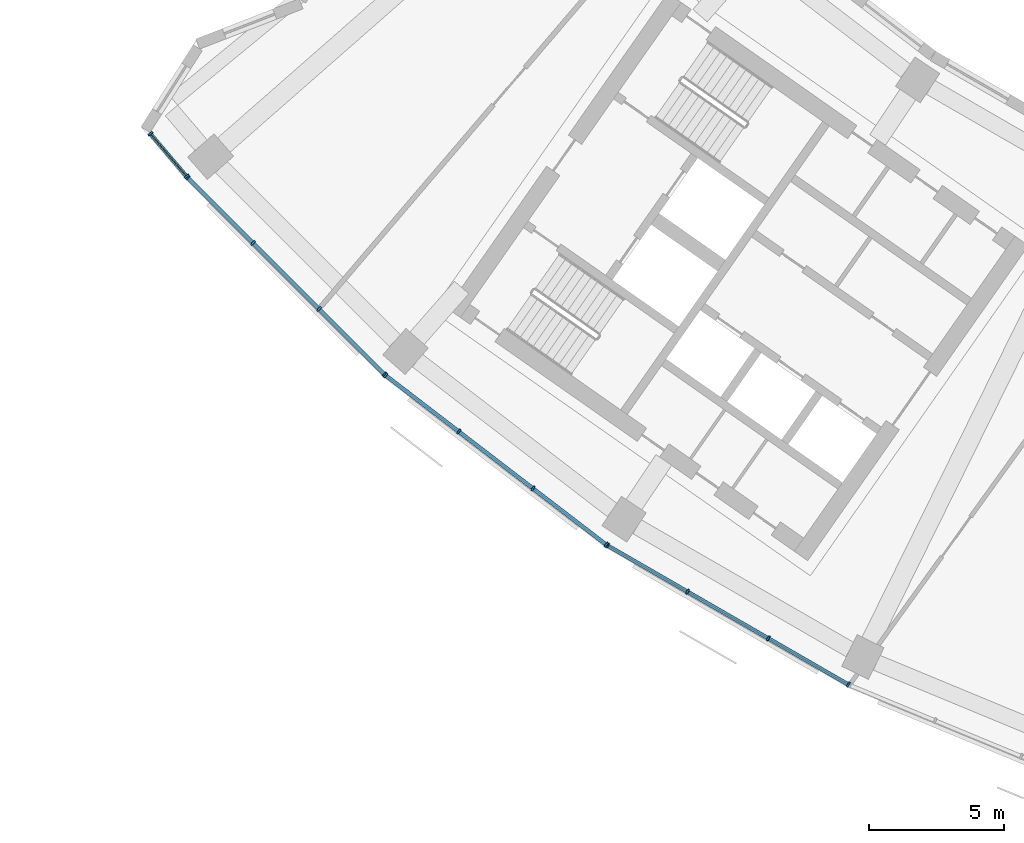
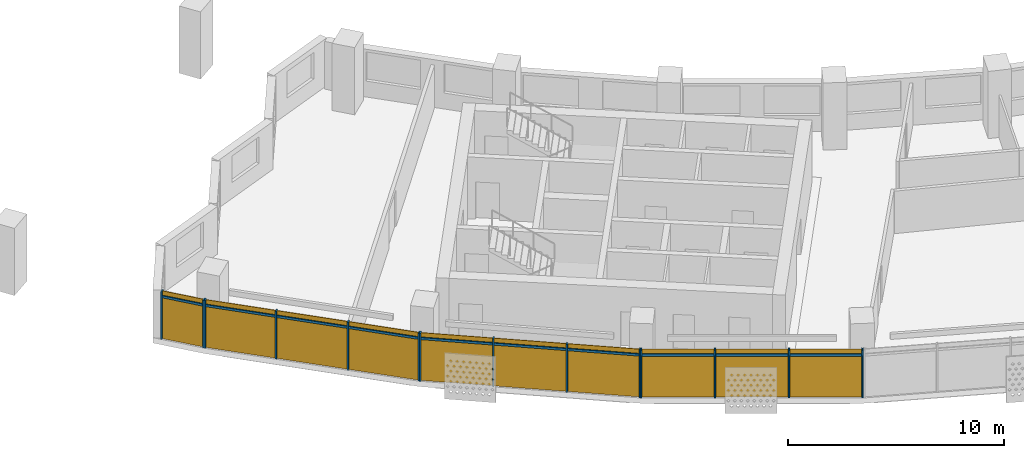
# One storey, part 17 of 26: 24 members, 4 curtain walls.
"""IFC4 building model written with IfcOpenShell, lengths in metres."""

from ifc_helpers import new_model, si_unit, direction, frame, origin, origin_2d, place, context, subcontext, project, spatial, rectangle, extrude, material, material_profile, profile_set, type_object, element, aggregate, save


model = new_model("IFC4")

# Units and contexts
model_context = context("Model", 3, precision=1e-05, world=origin(), true_north=direction((0.0, 1.0)))
body_context = subcontext(model_context, "Body", "Model", "MODEL_VIEW")
ifc_project = project(units=[si_unit("LENGTHUNIT", "METRE"), si_unit("AREAUNIT", "SQUARE_METRE"), si_unit("VOLUMEUNIT", "CUBIC_METRE"), si_unit("PLANEANGLEUNIT", "RADIAN"), si_unit("MASSUNIT", "GRAM", prefix="KILO")], contexts=[model_context])

# Member
ifc_material = material(Name="Aluminium 6063-T6 anodised", Category="aluminium")
ifc_material_profile_1 = material_profile(ifc_material, rectangle(XDim=0.199951171875, YDim=0.070068359375, at=origin_2d()))
ifc_profile_set_1 = profile_set([ifc_material_profile_1], Name="Aluminium 6063-T6 anodised")
member_type_1 = type_object("IfcMemberType", Name="Mullion 70 x 200 aluminium", PredefinedType="MULLION", material=ifc_profile_set_1)
site_placement = place(None, origin())
building_placement = place(site_placement, origin())
storey_placement = place(building_placement, frame((0.0, 0.0, 168.300048828125)))
member_1_placement = place(storey_placement, frame((-60.68212890625, -50.41845703125, 0.0), z_axis=(0.0, 0.0, 1.0), x_axis=(0.762284036665, 0.647242649588, 0.0)))
member_1 = element("IfcMember", 1, at=member_1_placement, type_object=member_type_1, Name="e-cw1-L39-out00/M00", PredefinedType="MULLION", context=body_context, shape_type="SweptSolid", body=[
    extrude(rectangle(XDim=0.199951171875, YDim=0.070068359375, at=origin_2d()), origin(), (0.0, 0.0, 1.0), 2.699951171875),
])

member_2_placement = place(storey_placement, frame((-59.341796875, -51.996826171875, 0.0), z_axis=(0.0, 0.0, 1.0), x_axis=(0.762284036665, 0.647242649588, 0.0)))
member_2 = element("IfcMember", 2, at=member_2_placement, type_object=member_type_1, Name="e-cw1-L39-out00/M01", PredefinedType="MULLION", context=body_context, shape_type="SweptSolid", body=[
    extrude(rectangle(XDim=0.199951171875, YDim=0.070068359375, at=origin_2d()), origin(), (0.0, 0.0, 1.0), 2.699951171875),
])

member_3_placement = place(storey_placement, frame((-59.2998046875, -52.042236328125, 0.0), z_axis=(0.0, 0.0, 1.0), x_axis=(0.707106781187, 0.707106781187, 0.0)))
member_3 = element("IfcMember", 3, at=member_3_placement, type_object=member_type_1, Name="e-cw1-L39-out01/M00", PredefinedType="MULLION", context=body_context, shape_type="SweptSolid", body=[
    extrude(rectangle(XDim=0.199951171875, YDim=0.070068359375, at=origin_2d()), origin(), (0.0, 0.0, 1.0), 2.699951171875),
])

member_4_placement = place(storey_placement, frame((-56.888916015625, -54.453369140625, 0.0), z_axis=(0.0, 0.0, 1.0), x_axis=(0.707106781187, 0.707106781187, 0.0)))
member_4 = element("IfcMember", 4, at=member_4_placement, type_object=member_type_1, Name="e-cw1-L39-out01/M01", PredefinedType="MULLION", context=body_context, shape_type="SweptSolid", body=[
    extrude(rectangle(XDim=0.199951171875, YDim=0.070068359375, at=origin_2d()), origin(), (0.0, 0.0, 1.0), 2.699951171875),
])

member_5_placement = place(storey_placement, frame((-54.453369140625, -56.888916015625, 0.0), z_axis=(0.0, 0.0, 1.0), x_axis=(0.707106781187, 0.707106781187, 0.0)))
member_5 = element("IfcMember", 5, at=member_5_placement, type_object=member_type_1, Name="e-cw1-L39-out01/M02", PredefinedType="MULLION", context=body_context, shape_type="SweptSolid", body=[
    extrude(rectangle(XDim=0.199951171875, YDim=0.070068359375, at=origin_2d()), origin(), (0.0, 0.0, 1.0), 2.699951171875),
])

member_6_placement = place(storey_placement, frame((-52.042236328125, -59.2998046875, 0.0), z_axis=(0.0, 0.0, 1.0), x_axis=(0.707106781187, 0.707106781187, 0.0)))
member_6 = element("IfcMember", 6, at=member_6_placement, type_object=member_type_1, Name="e-cw1-L39-out01/M03", PredefinedType="MULLION", context=body_context, shape_type="SweptSolid", body=[
    extrude(rectangle(XDim=0.199951171875, YDim=0.070068359375, at=origin_2d()), origin(), (0.0, 0.0, 1.0), 2.699951171875),
])

member_7_placement = place(storey_placement, frame((-51.999755859375, -59.33740234375, 0.0), z_axis=(0.0, 0.0, 1.0), x_axis=(0.608761429009, 0.793353340291, 0.0)))
member_7 = element("IfcMember", 7, at=member_7_placement, type_object=member_type_1, Name="e-cw1-L39-out02/M00", PredefinedType="MULLION", context=body_context, shape_type="SweptSolid", body=[
    extrude(rectangle(XDim=0.199951171875, YDim=0.070068359375, at=origin_2d()), origin(), (0.0, 0.0, 1.0), 2.699951171875),
])

member_8_placement = place(storey_placement, frame((-49.294677734375, -61.412841796875, 0.0), z_axis=(0.0, 0.0, 1.0), x_axis=(0.608761429009, 0.793353340291, 0.0)))
member_8 = element("IfcMember", 8, at=member_8_placement, type_object=member_type_1, Name="e-cw1-L39-out02/M01", PredefinedType="MULLION", context=body_context, shape_type="SweptSolid", body=[
    extrude(rectangle(XDim=0.199951171875, YDim=0.070068359375, at=origin_2d()), origin(), (0.0, 0.0, 1.0), 2.699951171875),
])

member_9_placement = place(storey_placement, frame((-46.56201171875, -63.509765625, 0.0), z_axis=(0.0, 0.0, 1.0), x_axis=(0.608761429009, 0.793353340291, 0.0)))
member_9 = element("IfcMember", 9, at=member_9_placement, type_object=member_type_1, Name="e-cw1-L39-out02/M02", PredefinedType="MULLION", context=body_context, shape_type="SweptSolid", body=[
    extrude(rectangle(XDim=0.199951171875, YDim=0.070068359375, at=origin_2d()), origin(), (0.0, 0.0, 1.0), 2.699951171875),
])

member_10_placement = place(storey_placement, frame((-43.85693359375, -65.58544921875, 0.0), z_axis=(0.0, 0.0, 1.0), x_axis=(0.608761429009, 0.793353340291, 0.0)))
member_10 = element("IfcMember", 10, at=member_10_placement, type_object=member_type_1, Name="e-cw1-L39-out02/M03", PredefinedType="MULLION", context=body_context, shape_type="SweptSolid", body=[
    extrude(rectangle(XDim=0.199951171875, YDim=0.070068359375, at=origin_2d()), origin(), (0.0, 0.0, 1.0), 2.699951171875),
])

member_11_placement = place(storey_placement, frame((-43.809814453125, -65.616943359375, 0.0), z_axis=(0.0, 0.0, 1.0), x_axis=(0.5, 0.866025403784, 0.0)))
member_11 = element("IfcMember", 11, at=member_11_placement, type_object=member_type_1, Name="e-cw1-L39-out03/M00", PredefinedType="MULLION", context=body_context, shape_type="SweptSolid", body=[
    extrude(rectangle(XDim=0.199951171875, YDim=0.070068359375, at=origin_2d()), origin(), (0.0, 0.0, 1.0), 2.699951171875),
])

member_12_placement = place(storey_placement, frame((-40.85693359375, -67.32177734375, 0.0), z_axis=(0.0, 0.0, 1.0), x_axis=(0.5, 0.866025403784, 0.0)))
member_12 = element("IfcMember", 12, at=member_12_placement, type_object=member_type_1, Name="e-cw1-L39-out03/M01", PredefinedType="MULLION", context=body_context, shape_type="SweptSolid", body=[
    extrude(rectangle(XDim=0.199951171875, YDim=0.070068359375, at=origin_2d()), origin(), (0.0, 0.0, 1.0), 2.699951171875),
])

member_13_placement = place(storey_placement, frame((-37.873779296875, -69.0439453125, 0.0), z_axis=(0.0, 0.0, 1.0), x_axis=(0.5, 0.866025403784, 0.0)))
member_13 = element("IfcMember", 13, at=member_13_placement, type_object=member_type_1, Name="e-cw1-L39-out03/M02", PredefinedType="MULLION", context=body_context, shape_type="SweptSolid", body=[
    extrude(rectangle(XDim=0.199951171875, YDim=0.070068359375, at=origin_2d()), origin(), (0.0, 0.0, 1.0), 2.699951171875),
])

member_14_placement = place(storey_placement, frame((-34.921142578125, -70.748779296875, 0.0), z_axis=(0.0, 0.0, 1.0), x_axis=(0.5, 0.866025403784, 0.0)))
member_14 = element("IfcMember", 14, at=member_14_placement, type_object=member_type_1, Name="e-cw1-L39-out03/M03", PredefinedType="MULLION", context=body_context, shape_type="SweptSolid", body=[
    extrude(rectangle(XDim=0.199951171875, YDim=0.070068359375, at=origin_2d()), origin(), (0.0, 0.0, 1.0), 2.699951171875),
])

ifc_material_profile_2 = material_profile(ifc_material, rectangle(XDim=0.139892578125, YDim=0.1201171875, at=origin_2d()))
ifc_profile_set_2 = profile_set([ifc_material_profile_2], Name="Aluminium 6063-T6 anodised")
member_type_2 = type_object("IfcMemberType", Name="Transom 120 x 140 aluminium", PredefinedType="USERDEFINED", material=ifc_profile_set_2)
member_15_placement = place(storey_placement, frame((-60.659423828125, -50.445068359375, 2.39990234375), z_axis=(0.64722680824, -0.762297487006, 0.0), x_axis=(0.762297487006, 0.64722680824, 0.0)))
member_15 = element("IfcMember", 15, at=member_15_placement, type_object=member_type_2, Name="e-cw1-L39-out00/T00", ObjectType="TRANSOM", PredefinedType="USERDEFINED", context=body_context, shape_type="SweptSolid", body=[
    extrude(rectangle(XDim=0.139892578125, YDim=0.1201171875, at=origin_2d()), origin(), (0.0, 0.0, 1.0), 2.000732421875),
])

member_16_placement = place(storey_placement, frame((-59.275146484375, -52.067138671875, 2.39990234375), z_axis=(0.707106781187, -0.707106781187, 0.0), x_axis=(0.707106781187, 0.707106781187, 0.0)))
member_16 = element("IfcMember", 16, at=member_16_placement, type_object=member_type_2, Name="e-cw1-L39-out01/T00", ObjectType="TRANSOM", PredefinedType="USERDEFINED", context=body_context, shape_type="SweptSolid", body=[
    extrude(rectangle(XDim=0.139892578125, YDim=0.1201171875, at=origin_2d()), origin(), (0.0, 0.0, 1.0), 3.33935546875),
])

member_17_placement = place(storey_placement, frame((-56.8642578125, -54.47802734375, 2.39990234375), z_axis=(0.707106781187, -0.707106781187, 0.0), x_axis=(0.707106781187, 0.707106781187, 0.0)))
member_17 = element("IfcMember", 17, at=member_17_placement, type_object=member_type_2, Name="e-cw1-L39-out01/T01", ObjectType="TRANSOM", PredefinedType="USERDEFINED", context=body_context, shape_type="SweptSolid", body=[
    extrude(rectangle(XDim=0.139892578125, YDim=0.1201171875, at=origin_2d()), origin(), (0.0, 0.0, 1.0), 3.374755859375),
])

member_18_placement = place(storey_placement, frame((-54.428466796875, -56.913818359375, 2.39990234375), z_axis=(0.707106781187, -0.707106781187, 0.0), x_axis=(0.707106781187, 0.707106781187, 0.0)))
member_18 = element("IfcMember", 18, at=member_18_placement, type_object=member_type_2, Name="e-cw1-L39-out01/T02", ObjectType="TRANSOM", PredefinedType="USERDEFINED", context=body_context, shape_type="SweptSolid", body=[
    extrude(rectangle(XDim=0.139892578125, YDim=0.1201171875, at=origin_2d()), origin(), (0.0, 0.0, 1.0), 3.33935546875),
])

member_19_placement = place(storey_placement, frame((-51.971923828125, -59.358642578125, 2.39990234375), z_axis=(0.793354486861, -0.608759934767, 0.0), x_axis=(0.608759934767, 0.793354486861, 0.0)))
member_19 = element("IfcMember", 19, at=member_19_placement, type_object=member_type_2, Name="e-cw1-L39-out02/T00", ObjectType="TRANSOM", PredefinedType="USERDEFINED", context=body_context, shape_type="SweptSolid", body=[
    extrude(rectangle(XDim=0.139892578125, YDim=0.1201171875, at=origin_2d()), origin(), (0.0, 0.0, 1.0), 3.339599609375),
])

member_20_placement = place(storey_placement, frame((-49.266845703125, -61.434326171875, 2.39990234375), z_axis=(0.793371081522, -0.608738307489, 0.0), x_axis=(0.608738307489, 0.793371081522, 0.0)))
member_20 = element("IfcMember", 20, at=member_20_placement, type_object=member_type_2, Name="e-cw1-L39-out02/T01", ObjectType="TRANSOM", PredefinedType="USERDEFINED", context=body_context, shape_type="SweptSolid", body=[
    extrude(rectangle(XDim=0.139892578125, YDim=0.1201171875, at=origin_2d()), origin(), (0.0, 0.0, 1.0), 3.37451171875),
])

member_21_placement = place(storey_placement, frame((-46.5341796875, -63.53125, 2.39990234375), z_axis=(0.793354486861, -0.608759934767, 0.0), x_axis=(0.608759934767, 0.793354486861, 0.0)))
member_21 = element("IfcMember", 21, at=member_21_placement, type_object=member_type_2, Name="e-cw1-L39-out02/T02", ObjectType="TRANSOM", PredefinedType="USERDEFINED", context=body_context, shape_type="SweptSolid", body=[
    extrude(rectangle(XDim=0.139892578125, YDim=0.1201171875, at=origin_2d()), origin(), (0.0, 0.0, 1.0), 3.339599609375),
])

member_22_placement = place(storey_placement, frame((-43.779541015625, -65.634521484375, 2.39990234375), z_axis=(0.866052898888, -0.49995237406, 0.0), x_axis=(0.49995237406, 0.866052898888, 0.0)))
member_22 = element("IfcMember", 22, at=member_22_placement, type_object=member_type_2, Name="e-cw1-L39-out03/T00", ObjectType="TRANSOM", PredefinedType="USERDEFINED", context=body_context, shape_type="SweptSolid", body=[
    extrude(rectangle(XDim=0.139892578125, YDim=0.1201171875, at=origin_2d()), origin(), (0.0, 0.0, 1.0), 3.339599609375),
])

member_23_placement = place(storey_placement, frame((-40.82666015625, -67.33935546875, 2.39990234375), z_axis=(0.86602172966, -0.500006363716, 0.0), x_axis=(0.500006363716, 0.86602172966, 0.0)))
member_23 = element("IfcMember", 23, at=member_23_placement, type_object=member_type_2, Name="e-cw1-L39-out03/T01", ObjectType="TRANSOM", PredefinedType="USERDEFINED", context=body_context, shape_type="SweptSolid", body=[
    extrude(rectangle(XDim=0.139892578125, YDim=0.1201171875, at=origin_2d()), origin(), (0.0, 0.0, 1.0), 3.37451171875),
])

member_24_placement = place(storey_placement, frame((-37.843505859375, -69.0615234375, 2.39990234375), z_axis=(0.866002968352, -0.500038857296, 0.0), x_axis=(0.500038857296, 0.866002968352, 0.0)))
member_24 = element("IfcMember", 24, at=member_24_placement, type_object=member_type_2, Name="e-cw1-L39-out03/T02", ObjectType="TRANSOM", PredefinedType="USERDEFINED", context=body_context, shape_type="SweptSolid", body=[
    extrude(rectangle(XDim=0.139892578125, YDim=0.1201171875, at=origin_2d()), origin(), (0.0, 0.0, 1.0), 3.339599609375),
])

# Site, building, storey
site = spatial("IfcSite", under=ifc_project, at=site_placement, CompositionType="ELEMENT")
building = spatial("IfcBuilding", under=site, at=building_placement, Name="Qamariyya Broadcast Tower", CompositionType="ELEMENT")
storey = spatial("IfcBuildingStorey", under=building, at=storey_placement, Name="L39", CompositionType="ELEMENT", Elevation=168.300048828125)

# Curtain wall
curtain_wall_type = type_object("IfcCurtainWallType", Name="Unitised curtain wall, anodised aluminium", PredefinedType="NOTDEFINED", material=ifc_material)
curtain_wall_1_placement = place(storey_placement, origin())
curtain_wall_1 = element("IfcCurtainWall", 25, at=curtain_wall_1_placement, inside=storey, type_object=curtain_wall_type, Name="e-cw1-L39-out00", PredefinedType="NOTDEFINED", context=body_context, shape_type="SweptSolid", body=[
    extrude(rectangle(XDim=2.0009765625, YDim=0.031982421875, at=origin_2d()), frame((-60.011962890625, -51.20751953125, 0.0), x_axis=(0.647234572606, -0.762290894622, 0.0)), (0.0, 0.0, 1.0), 2.340087890625),
    extrude(rectangle(XDim=2.0009765625, YDim=0.031982421875, at=origin_2d()), frame((-60.011962890625, -51.20751953125, 2.4599609375), x_axis=(0.647234572606, -0.762290894622, 0.0)), (0.0, 0.0, 1.0), 0.239990234375),
])

aggregate(curtain_wall_1, [member_1, member_2, member_15])

curtain_wall_2_placement = place(storey_placement, origin())
curtain_wall_2 = element("IfcCurtainWall", 26, at=curtain_wall_2_placement, inside=storey, type_object=curtain_wall_type, Name="e-cw1-L39-out01", PredefinedType="NOTDEFINED", context=body_context, shape_type="SweptSolid", body=[
    extrude(rectangle(XDim=3.339599609375, YDim=0.031982421875, at=origin_2d()), frame((-58.094482421875, -53.247802734375, 0.0), x_axis=(0.707106781187, -0.707106781187, 0.0)), (0.0, 0.0, 1.0), 2.340087890625),
    extrude(rectangle(XDim=3.339599609375, YDim=0.031982421875, at=origin_2d()), frame((-58.094482421875, -53.247802734375, 2.4599609375), x_axis=(0.707106781187, -0.707106781187, 0.0)), (0.0, 0.0, 1.0), 0.239990234375),
    extrude(rectangle(XDim=3.37451171875, YDim=0.031982421875, at=origin_2d()), frame((-55.671142578125, -55.671142578125, 0.0), x_axis=(0.707106781187, -0.707106781187, 0.0)), (0.0, 0.0, 1.0), 2.340087890625),
    extrude(rectangle(XDim=3.37451171875, YDim=0.031982421875, at=origin_2d()), frame((-55.671142578125, -55.671142578125, 2.4599609375), x_axis=(0.707106781187, -0.707106781187, 0.0)), (0.0, 0.0, 1.0), 0.239990234375),
    extrude(rectangle(XDim=3.339599609375, YDim=0.031982421875, at=origin_2d()), frame((-53.247802734375, -58.094482421875, 0.0), x_axis=(0.707106781187, -0.707106781187, 0.0)), (0.0, 0.0, 1.0), 2.340087890625),
    extrude(rectangle(XDim=3.339599609375, YDim=0.031982421875, at=origin_2d()), frame((-53.247802734375, -58.094482421875, 2.4599609375), x_axis=(0.707106781187, -0.707106781187, 0.0)), (0.0, 0.0, 1.0), 0.239990234375),
])

aggregate(curtain_wall_2, [member_3, member_4, member_5, member_6, member_16, member_17, member_18])

curtain_wall_3_placement = place(storey_placement, origin())
curtain_wall_3 = element("IfcCurtainWall", 27, at=curtain_wall_3_placement, inside=storey, type_object=curtain_wall_type, Name="e-cw1-L39-out02", PredefinedType="NOTDEFINED", context=body_context, shape_type="SweptSolid", body=[
    extrude(rectangle(XDim=3.339599609375, YDim=0.031982421875, at=origin_2d()), frame((-50.64697265625, -60.375, 0.0), x_axis=(0.793351517557, -0.608763804434, 0.0)), (0.0, 0.0, 1.0), 2.340087890625),
    extrude(rectangle(XDim=3.339599609375, YDim=0.031982421875, at=origin_2d()), frame((-50.64697265625, -60.375, 2.4599609375), x_axis=(0.793351517557, -0.608763804434, 0.0)), (0.0, 0.0, 1.0), 0.239990234375),
    extrude(rectangle(XDim=3.37451171875, YDim=0.031982421875, at=origin_2d()), frame((-47.92822265625, -62.46142578125, 0.0), x_axis=(0.793351517557, -0.608763804434, 0.0)), (0.0, 0.0, 1.0), 2.340087890625),
    extrude(rectangle(XDim=3.37451171875, YDim=0.031982421875, at=origin_2d()), frame((-47.92822265625, -62.46142578125, 2.4599609375), x_axis=(0.793351517557, -0.608763804434, 0.0)), (0.0, 0.0, 1.0), 0.239990234375),
    extrude(rectangle(XDim=3.339599609375, YDim=0.031982421875, at=origin_2d()), frame((-45.20947265625, -64.547607421875, 0.0), x_axis=(0.793351517557, -0.608763804434, 0.0)), (0.0, 0.0, 1.0), 2.340087890625),
    extrude(rectangle(XDim=3.339599609375, YDim=0.031982421875, at=origin_2d()), frame((-45.20947265625, -64.547607421875, 2.4599609375), x_axis=(0.793351517557, -0.608763804434, 0.0)), (0.0, 0.0, 1.0), 0.239990234375),
])

aggregate(curtain_wall_3, [member_7, member_8, member_9, member_10, member_19, member_20, member_21])

curtain_wall_4_placement = place(storey_placement, origin())
curtain_wall_4 = element("IfcCurtainWall", 28, at=curtain_wall_4_placement, inside=storey, type_object=curtain_wall_type, Name="e-cw1-L39-out03", PredefinedType="NOTDEFINED", context=body_context, shape_type="SweptSolid", body=[
    extrude(rectangle(XDim=3.339599609375, YDim=0.031982421875, at=origin_2d()), frame((-42.33349609375, -66.469482421875, 0.0), x_axis=(0.866028999376, -0.499993772201, 0.0)), (0.0, 0.0, 1.0), 2.340087890625),
    extrude(rectangle(XDim=3.339599609375, YDim=0.031982421875, at=origin_2d()), frame((-42.33349609375, -66.469482421875, 2.4599609375), x_axis=(0.866028999376, -0.499993772201, 0.0)), (0.0, 0.0, 1.0), 0.239990234375),
    extrude(rectangle(XDim=3.37451171875, YDim=0.031982421875, at=origin_2d()), frame((-39.365478515625, -68.18310546875, 0.0), x_axis=(0.866028999376, -0.499993772201, 0.0)), (0.0, 0.0, 1.0), 2.340087890625),
    extrude(rectangle(XDim=3.37451171875, YDim=0.031982421875, at=origin_2d()), frame((-39.365478515625, -68.18310546875, 2.4599609375), x_axis=(0.866028999376, -0.499993772201, 0.0)), (0.0, 0.0, 1.0), 0.239990234375),
    extrude(rectangle(XDim=3.339599609375, YDim=0.031982421875, at=origin_2d()), frame((-36.3974609375, -69.896484375, 0.0), x_axis=(0.866028999376, -0.499993772201, 0.0)), (0.0, 0.0, 1.0), 2.340087890625),
    extrude(rectangle(XDim=3.339599609375, YDim=0.031982421875, at=origin_2d()), frame((-36.3974609375, -69.896484375, 2.4599609375), x_axis=(0.866028999376, -0.499993772201, 0.0)), (0.0, 0.0, 1.0), 0.239990234375),
])

aggregate(curtain_wall_4, [member_11, member_12, member_13, member_14, member_22, member_23, member_24])

save(model, "model.ifc")
